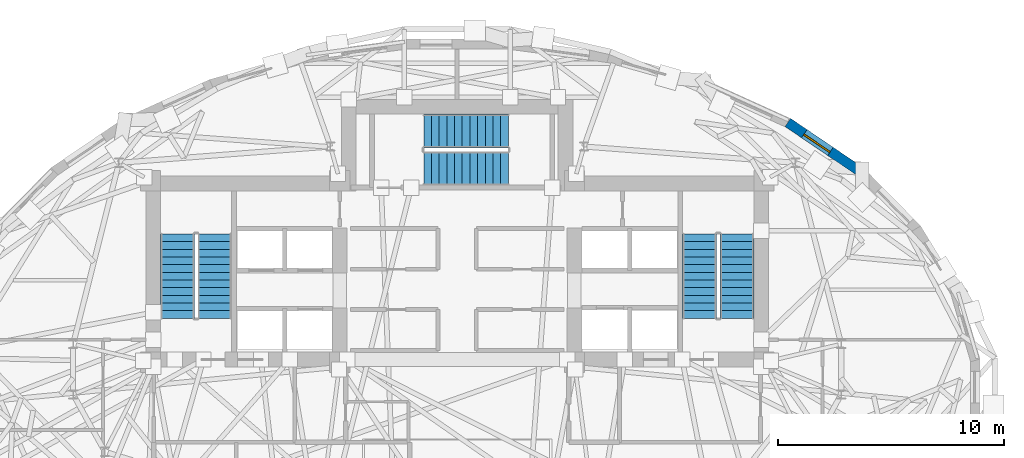
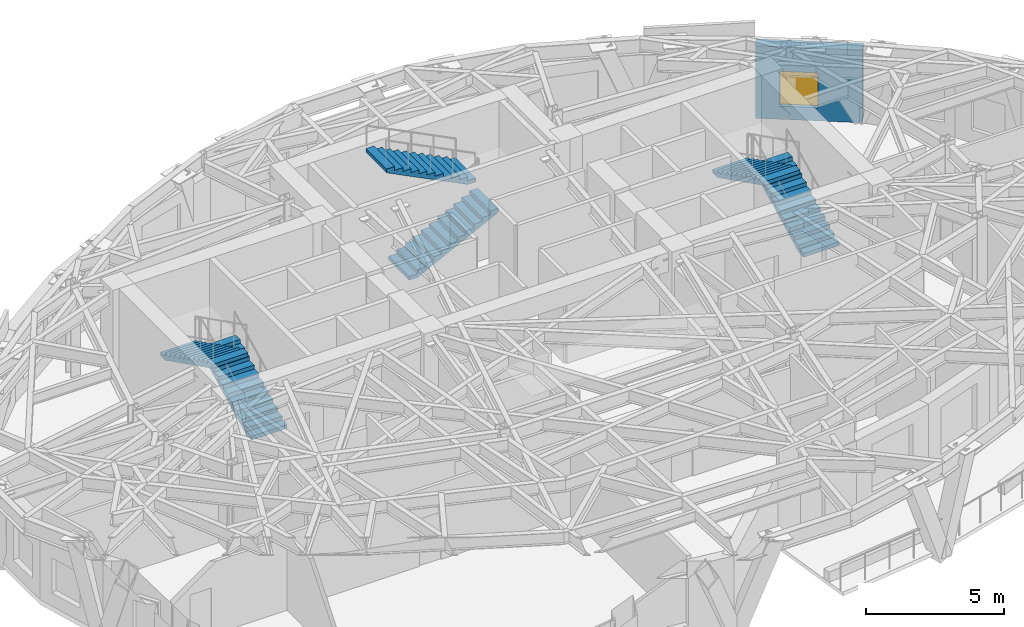
# One storey, part 12 of 15: 6 stair flights, 1 wall, 1 window, 1 opening, 3 elements without a shape of their own.
"""IFC4 building model written with IfcOpenShell, lengths in metres."""

from ifc_helpers import new_model, si_unit, direction, frame, frame_2d, origin, place, context, subcontext, project, spatial, polyline, rectangle, outline, extrude, material, layer, layer_set, type_object, element, fill, aggregate, save


model = new_model("IFC4")

# Units and contexts
model_context = context("Model", 3, precision=1e-05, world=origin(), true_north=direction((0.0, 1.0)))
body_context = subcontext(model_context, "Body", "Model", "MODEL_VIEW")
ifc_project = project(units=[si_unit("LENGTHUNIT", "METRE"), si_unit("AREAUNIT", "SQUARE_METRE"), si_unit("VOLUMEUNIT", "CUBIC_METRE"), si_unit("PLANEANGLEUNIT", "RADIAN"), si_unit("MASSUNIT", "GRAM", prefix="KILO")], contexts=[model_context])

# Site, building, storey
site_placement = place(None, origin())
site = spatial("IfcSite", under=ifc_project, at=site_placement, CompositionType="ELEMENT")
building_placement = place(site_placement, origin())
building = spatial("IfcBuilding", under=site, at=building_placement, Name="Keldmark Tower", CompositionType="ELEMENT")
storey_placement = place(building_placement, frame((0.0, 0.0, 205.89990234375)))
storey = spatial("IfcBuildingStorey", under=building, at=storey_placement, Name="L57", CompositionType="ELEMENT", Elevation=205.89990234375)

# Wall, opening, window
ifc_material_1 = material(Name="Ironspot Manganese Brick and Kasota Buff Limestone Spandrel Assembly", Category="masonry")
ifc_layer = layer(ifc_material_1, 0.43994140625)
ifc_layer_set = layer_set([ifc_layer], Name="Ironspot Manganese Brick and Kasota Buff Limestone Spandrel Assembly")
wall_type = type_object("IfcWallType", Name="Tower Brick Pier and Spandrel Wall 440 mm", PredefinedType="STANDARD", material=ifc_layer_set)
wall_placement = place(storey_placement, frame((14.657958984375, 12.031494140625, 0.0), z_axis=(0.0, 0.0, 1.0), x_axis=(0.827644957237, -0.561252015373, 0.0)))
wall = element("IfcWall", 1, at=wall_placement, inside=storey, type_object=wall_type, Name="L57 Exterior Brick and Spandrel Wall 04", PredefinedType="STANDARD", context=body_context, shape_type="SweptSolid", body=[
    extrude(rectangle(XDim=3.90234375, YDim=0.43994140625, at=frame_2d((1.951171875, 0.0))), origin(), (0.0, 0.0, 1.0), 3.218994140625),
])
opening_placement = place(wall_placement, frame((0.884521484375, 0.0, 0.580078125)))
opening = element("IfcOpeningElement", 2, at=opening_placement, cuts=wall, Name="Opening W-08", PredefinedType="OPENING", context=body_context, shape_type="SweptSolid", body=[
    extrude(rectangle(XDim=1.39990234375, YDim=1.550048828125, at=frame_2d((0.699951171875, 0.77490234375))), frame((0.0, 0.22998046875, 0.0), z_axis=(0.0, -1.0, 0.0), x_axis=(1.0, 0.0, 0.0)), (0.0, 0.0, 1.0), 0.4599609375),
])
ifc_material_2 = material(Name="Thermally Broken Anodized Aluminum and Triple Low-E Argon Glazing", Category="aluminium")
window_type = type_object("IfcWindowType", Name="Residential Corner Punched Window 1400x1550", PartitioningType="SINGLE_PANEL", PredefinedType="WINDOW", material=ifc_material_2)
window_placement = place(opening_placement, origin())
window = element("IfcWindow", 3, at=window_placement, inside=storey, type_object=window_type, Name="L57 Deep-Set Window 04", OverallHeight=1.550048828125, OverallWidth=1.39990234375, PartitioningType="SINGLE_PANEL", PredefinedType="WINDOW", context=body_context, shape_type="SweptSolid", body=[
    extrude(rectangle(XDim=1.39990234375, YDim=1.550048828125, at=frame_2d((0.699951171875, 0.77490234375))), frame((0.0, -0.010009765625, 0.0), z_axis=(0.0, -1.0, 0.0), x_axis=(1.0, 0.0, 0.0)), (0.0, 0.0, 1.0), 0.06005859375),
])
fill(opening, window)

# Stair, stair flights
ifc_material_3 = material(Name="Concrete C40/50", Category="concrete")
stair_type = type_object("IfcStairType", Name="Precast Concrete Core Exit Stair", PredefinedType="HALF_TURN_STAIR", material=ifc_material_3)
stair_1_placement = place(storey_placement, origin())
stair_1 = element("IfcStair", 4, at=stair_1_placement, inside=storey, type_object=stair_type, Name="L57 Exit Stair ST1", PredefinedType="HALF_TURN_STAIR")
ifc_material_4 = material(Name="Concrete C40/50", Category="concrete")
stair_flight_type = type_object("IfcStairFlightType", Name="Precast Concrete Stair Flight 1500 mm", PredefinedType="STRAIGHT", material=ifc_material_4)
stair_flight_1_placement = place(storey_placement, frame((-10.75, 3.35009765625, 0.0), z_axis=(0.0, 0.0, 1.0), x_axis=(0.0, 1.0, 0.0)))
stair_flight_1 = element("IfcStairFlight", 5, at=stair_flight_1_placement, type_object=stair_flight_type, Name="ST1 flight 1", NumberOfRisers=12, NumberOfTreads=11, PredefinedType="STRAIGHT", RiserHeight=0.170833333, TreadLength=0.34, context=body_context, shape_type="SweptSolid", body=[
    extrude(outline(polyline([(0.0, 0.0), (0.0, 0.1708984375), (0.340087890625, 0.1708984375), (0.340087890625, 0.341552734375), (0.679931640625, 0.341552734375), (0.679931640625, 0.512451171875), (1.02001953125, 0.512451171875), (1.02001953125, 0.683349609375), (1.360107421875, 0.683349609375), (1.360107421875, 0.854248046875), (1.699951171875, 0.854248046875), (1.699951171875, 1.02490234375), (2.0400390625, 1.02490234375), (2.0400390625, 1.19580078125), (2.3798828125, 1.19580078125), (2.3798828125, 1.36669921875), (2.719970703125, 1.36669921875), (2.719970703125, 1.53759765625), (3.06005859375, 1.53759765625), (3.06005859375, 1.708251953125), (3.39990234375, 1.708251953125), (3.39990234375, 1.879150390625), (3.739990234375, 1.879150390625), (3.739990234375, 2.050048828125), (3.739990234375, 1.71142578125), (0.333984375, 0.0), (0.0, 0.0)])), frame((0.0, 0.75, 0.0), z_axis=(0.0, -1.0, 0.0), x_axis=(1.0, 0.0, 0.0)), (0.0, 0.0, 1.0), 1.5),
])
stair_flight_2_placement = place(storey_placement, frame((-12.39990234375, 7.090087890625, 2.050048828125), z_axis=(0.0, 0.0, 1.0), x_axis=(0.0, -1.0, 0.0)))
stair_flight_2 = element("IfcStairFlight", 6, at=stair_flight_2_placement, type_object=stair_flight_type, Name="ST1 flight 2", NumberOfRisers=12, NumberOfTreads=11, PredefinedType="STRAIGHT", RiserHeight=0.170833333, TreadLength=0.34, context=body_context, shape_type="SweptSolid", body=[
    extrude(outline(polyline([(0.0, 0.0), (0.0, 0.1708984375), (0.340087890625, 0.1708984375), (0.340087890625, 0.341552734375), (0.679931640625, 0.341552734375), (0.679931640625, 0.512451171875), (1.02001953125, 0.512451171875), (1.02001953125, 0.683349609375), (1.360107421875, 0.683349609375), (1.360107421875, 0.854248046875), (1.699951171875, 0.854248046875), (1.699951171875, 1.02490234375), (2.0400390625, 1.02490234375), (2.0400390625, 1.19580078125), (2.3798828125, 1.19580078125), (2.3798828125, 1.36669921875), (2.719970703125, 1.36669921875), (2.719970703125, 1.53759765625), (3.06005859375, 1.53759765625), (3.06005859375, 1.708251953125), (3.39990234375, 1.708251953125), (3.39990234375, 1.879150390625), (3.739990234375, 1.879150390625), (3.739990234375, 2.050048828125), (3.739990234375, 1.71142578125), (0.333984375, 0.0), (0.0, 0.0)])), frame((0.0, 0.75, 0.0), z_axis=(0.0, -1.0, 0.0), x_axis=(1.0, 0.0, 0.0)), (0.0, 0.0, 1.0), 1.5),
])
aggregate(stair_1, [stair_flight_1, stair_flight_2])

stair_2_placement = place(storey_placement, origin())
stair_2 = element("IfcStair", 7, at=stair_2_placement, inside=storey, type_object=stair_type, Name="L57 Exit Stair ST2", PredefinedType="HALF_TURN_STAIR")
stair_flight_3_placement = place(storey_placement, frame((12.39990234375, 3.35009765625, 0.0), z_axis=(0.0, 0.0, 1.0), x_axis=(0.0, 1.0, 0.0)))
stair_flight_3 = element("IfcStairFlight", 8, at=stair_flight_3_placement, type_object=stair_flight_type, Name="ST2 flight 1", NumberOfRisers=12, NumberOfTreads=11, PredefinedType="STRAIGHT", RiserHeight=0.170833333, TreadLength=0.34, context=body_context, shape_type="SweptSolid", body=[
    extrude(outline(polyline([(0.0, 0.0), (0.0, 0.1708984375), (0.340087890625, 0.1708984375), (0.340087890625, 0.341552734375), (0.679931640625, 0.341552734375), (0.679931640625, 0.512451171875), (1.02001953125, 0.512451171875), (1.02001953125, 0.683349609375), (1.360107421875, 0.683349609375), (1.360107421875, 0.854248046875), (1.699951171875, 0.854248046875), (1.699951171875, 1.02490234375), (2.0400390625, 1.02490234375), (2.0400390625, 1.19580078125), (2.3798828125, 1.19580078125), (2.3798828125, 1.36669921875), (2.719970703125, 1.36669921875), (2.719970703125, 1.53759765625), (3.06005859375, 1.53759765625), (3.06005859375, 1.708251953125), (3.39990234375, 1.708251953125), (3.39990234375, 1.879150390625), (3.739990234375, 1.879150390625), (3.739990234375, 2.050048828125), (3.739990234375, 1.71142578125), (0.333984375, 0.0), (0.0, 0.0)])), frame((0.0, 0.75, 0.0), z_axis=(0.0, -1.0, 0.0), x_axis=(1.0, 0.0, 0.0)), (0.0, 0.0, 1.0), 1.5),
])
stair_flight_4_placement = place(storey_placement, frame((10.75, 7.090087890625, 2.050048828125), z_axis=(0.0, 0.0, 1.0), x_axis=(0.0, -1.0, 0.0)))
stair_flight_4 = element("IfcStairFlight", 9, at=stair_flight_4_placement, type_object=stair_flight_type, Name="ST2 flight 2", NumberOfRisers=12, NumberOfTreads=11, PredefinedType="STRAIGHT", RiserHeight=0.170833333, TreadLength=0.34, context=body_context, shape_type="SweptSolid", body=[
    extrude(outline(polyline([(0.0, 0.0), (0.0, 0.1708984375), (0.340087890625, 0.1708984375), (0.340087890625, 0.341552734375), (0.679931640625, 0.341552734375), (0.679931640625, 0.512451171875), (1.02001953125, 0.512451171875), (1.02001953125, 0.683349609375), (1.360107421875, 0.683349609375), (1.360107421875, 0.854248046875), (1.699951171875, 0.854248046875), (1.699951171875, 1.02490234375), (2.0400390625, 1.02490234375), (2.0400390625, 1.19580078125), (2.3798828125, 1.19580078125), (2.3798828125, 1.36669921875), (2.719970703125, 1.36669921875), (2.719970703125, 1.53759765625), (3.06005859375, 1.53759765625), (3.06005859375, 1.708251953125), (3.39990234375, 1.708251953125), (3.39990234375, 1.879150390625), (3.739990234375, 1.879150390625), (3.739990234375, 2.050048828125), (3.739990234375, 1.71142578125), (0.333984375, 0.0), (0.0, 0.0)])), frame((0.0, 0.75, 0.0), z_axis=(0.0, -1.0, 0.0), x_axis=(1.0, 0.0, 0.0)), (0.0, 0.0, 1.0), 1.5),
])
aggregate(stair_2, [stair_flight_3, stair_flight_4])

stair_3_placement = place(storey_placement, origin())
stair_3 = element("IfcStair", 10, at=stair_3_placement, inside=storey, type_object=stair_type, Name="L57 Exit Stair ST3", PredefinedType="HALF_TURN_STAIR")
stair_flight_5_placement = place(storey_placement, frame((-1.47509765625, 10.0, 0.0), z_axis=(0.0, 0.0, 1.0), x_axis=(1.0, 0.0, 0.0)))
stair_flight_5 = element("IfcStairFlight", 11, at=stair_flight_5_placement, type_object=stair_flight_type, Name="ST3 flight 1", NumberOfRisers=12, NumberOfTreads=11, PredefinedType="STRAIGHT", RiserHeight=0.170833333, TreadLength=0.34, context=body_context, shape_type="SweptSolid", body=[
    extrude(outline(polyline([(0.0, 0.0), (0.0, 0.1708984375), (0.340087890625, 0.1708984375), (0.340087890625, 0.341552734375), (0.679931640625, 0.341552734375), (0.679931640625, 0.512451171875), (1.02001953125, 0.512451171875), (1.02001953125, 0.683349609375), (1.360107421875, 0.683349609375), (1.360107421875, 0.854248046875), (1.699951171875, 0.854248046875), (1.699951171875, 1.02490234375), (2.0400390625, 1.02490234375), (2.0400390625, 1.19580078125), (2.3798828125, 1.19580078125), (2.3798828125, 1.36669921875), (2.719970703125, 1.36669921875), (2.719970703125, 1.53759765625), (3.06005859375, 1.53759765625), (3.06005859375, 1.708251953125), (3.39990234375, 1.708251953125), (3.39990234375, 1.879150390625), (3.739990234375, 1.879150390625), (3.739990234375, 2.050048828125), (3.739990234375, 1.71142578125), (0.333984375, 0.0), (0.0, 0.0)])), frame((0.0, 0.75, 0.0), z_axis=(0.0, -1.0, 0.0), x_axis=(1.0, 0.0, 0.0)), (0.0, 0.0, 1.0), 1.5),
])
stair_flight_6_placement = place(storey_placement, frame((2.264892578125, 11.64990234375, 2.050048828125), z_axis=(0.0, 0.0, 1.0), x_axis=(-1.0, 0.0, 0.0)))
stair_flight_6 = element("IfcStairFlight", 12, at=stair_flight_6_placement, type_object=stair_flight_type, Name="ST3 flight 2", NumberOfRisers=12, NumberOfTreads=11, PredefinedType="STRAIGHT", RiserHeight=0.170833333, TreadLength=0.34, context=body_context, shape_type="SweptSolid", body=[
    extrude(outline(polyline([(0.0, 0.0), (0.0, 0.1708984375), (0.340087890625, 0.1708984375), (0.340087890625, 0.341552734375), (0.679931640625, 0.341552734375), (0.679931640625, 0.512451171875), (1.02001953125, 0.512451171875), (1.02001953125, 0.683349609375), (1.360107421875, 0.683349609375), (1.360107421875, 0.854248046875), (1.699951171875, 0.854248046875), (1.699951171875, 1.02490234375), (2.0400390625, 1.02490234375), (2.0400390625, 1.19580078125), (2.3798828125, 1.19580078125), (2.3798828125, 1.36669921875), (2.719970703125, 1.36669921875), (2.719970703125, 1.53759765625), (3.06005859375, 1.53759765625), (3.06005859375, 1.708251953125), (3.39990234375, 1.708251953125), (3.39990234375, 1.879150390625), (3.739990234375, 1.879150390625), (3.739990234375, 2.050048828125), (3.739990234375, 1.71142578125), (0.333984375, 0.0), (0.0, 0.0)])), frame((0.0, 0.75, 0.0), z_axis=(0.0, -1.0, 0.0), x_axis=(1.0, 0.0, 0.0)), (0.0, 0.0, 1.0), 1.5),
])
aggregate(stair_3, [stair_flight_5, stair_flight_6])

save(model, "model.ifc")
